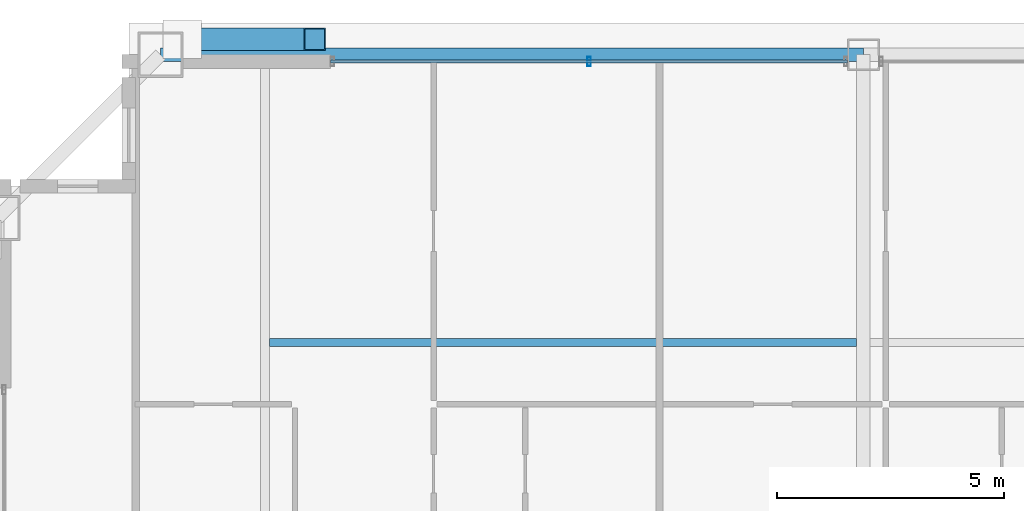
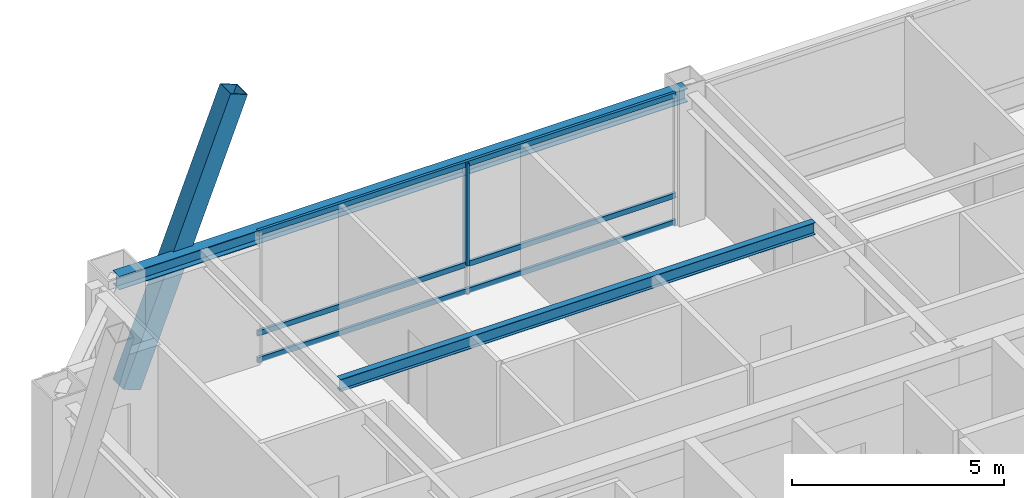
# One storey, part 16 of 35: 5 members, 2 beams, 1 element without a shape of its own.
"""IFC4 building model written with IfcOpenShell, lengths in metres."""

from ifc_helpers import new_model, si_unit, direction, frame, origin, origin_2d, place, context, subcontext, project, spatial, hollow_rectangle, i_section, extrude, source, transform, mapped, material, layer, layer_set, material_profile, profile_set, type_object, element, aggregate, save


model = new_model("IFC4")

# Units and contexts
model_context = context("Model", 3, precision=1e-05, world=origin(), true_north=direction((0.0, 1.0)))
body_context = subcontext(model_context, "Body", "Model", "MODEL_VIEW")
ifc_project = project(units=[si_unit("LENGTHUNIT", "METRE"), si_unit("AREAUNIT", "SQUARE_METRE"), si_unit("VOLUMEUNIT", "CUBIC_METRE"), si_unit("PLANEANGLEUNIT", "RADIAN"), si_unit("MASSUNIT", "GRAM", prefix="KILO"), si_unit("THERMODYNAMICTEMPERATUREUNIT", "KELVIN"), si_unit("POWERUNIT", "WATT")], contexts=[model_context])

# Site, building, storey
site_placement = place(None, origin())
site = spatial("IfcSite", under=ifc_project, at=site_placement, CompositionType="ELEMENT")
building_placement = place(site_placement, origin())
building = spatial("IfcBuilding", under=site, at=building_placement, Name="Yuzanri Waterfront Tower", CompositionType="ELEMENT")
storey_placement = place(building_placement, frame((0.0, 0.0, 343.199951171875)))
storey = spatial("IfcBuildingStorey", under=building, at=storey_placement, Name="L92", CompositionType="ELEMENT", Elevation=343.199951171875)

# Beams
ifc_material_1 = material(Name="Steel Q355B", Category="steel")
ifc_material_profile_1 = material_profile(ifc_material_1, i_section(OverallWidth=0.175048828125, OverallDepth=0.35009765625, WebThickness=0.007080078125, FlangeThickness=0.010986328125, at=origin_2d()), Name="HN 350x175x7x11")
ifc_profile_set_1 = profile_set([ifc_material_profile_1], Name="Steel Q355B")
beam_type_1 = type_object("IfcBeamType", Name="Floor Joist Q355B HN 350x175", PredefinedType="JOIST", material=ifc_profile_set_1)
shared_shape_1 = source(origin(), body_context, "Body", "SweptSolid", [
    extrude(i_section(OverallWidth=0.175048828125, OverallDepth=0.35009765625, WebThickness=0.007080078125, FlangeThickness=0.010986328125, at=origin_2d()), origin(), (0.0, 0.0, 1.0), 12.9501953125),
])
beam_1_placement = place(storey_placement, frame((23.89990234375, 38.550048828125, 3.5849609375), z_axis=(1.0, 0.0, 0.0), x_axis=(0.0, 1.0, 0.0)))
element("IfcBeam", 1, at=beam_1_placement, inside=storey, type_object=beam_type_1, Name="L92 North Bay Joist W", PredefinedType="JOIST", context=body_context, shape_type="MappedRepresentation", body=[
    mapped(shared_shape_1, transform((0.0, 0.0, 0.0), scale=1.0)),
])
ifc_material_2 = material(Name="Steel Q355B", Category="steel")
ifc_material_profile_2 = material_profile(ifc_material_2, i_section(OverallWidth=0.300048828125, OverallDepth=0.389892578125, WebThickness=0.010009765625, FlangeThickness=0.01611328125, at=origin_2d()), Name="HM 390x300x10x16")
ifc_profile_set_2 = profile_set([ifc_material_profile_2], Name="Steel Q355B")
beam_type_2 = type_object("IfcBeamType", Name="Perimeter Spandrel Q355B HM 390x300", PredefinedType="SPANDREL", material=ifc_profile_set_2)
shared_shape_2 = source(origin(), body_context, "Body", "SweptSolid", [
    extrude(i_section(OverallWidth=0.300048828125, OverallDepth=0.389892578125, WebThickness=0.010009765625, FlangeThickness=0.01611328125, at=origin_2d()), origin(), (0.0, 0.0, 1.0), 15.5),
])
beam_2_placement = place(storey_placement, frame((37.0, 44.89990234375, 3.56494140625), z_axis=(-1.0, 0.0, 0.0), x_axis=(0.0, -1.0, 0.0)))
element("IfcBeam", 2, at=beam_2_placement, inside=storey, type_object=beam_type_2, Name="L92 Perimeter Spandrel N2-N1", PredefinedType="SPANDREL", context=body_context, shape_type="MappedRepresentation", body=[
    mapped(shared_shape_2, transform((0.0, 0.0, 0.0), scale=1.0)),
])

# Member
ifc_material_3 = material(Name="Steel Q390GJC", Category="steel")
ifc_material_profile_3 = material_profile(ifc_material_3, hollow_rectangle(XDim=0.5, YDim=0.5, WallThickness=0.02197265625, at=origin_2d()), Name="RHS 500x500x22")
ifc_profile_set_3 = profile_set([ifc_material_profile_3], Name="Steel Q390GJC")
member_type_1 = type_object("IfcMemberType", Name="Mega Brace Upper Q390GJC RHS 500x500x22", PredefinedType="BRACE", material=ifc_profile_set_3)
shared_shape_3 = source(origin(), body_context, "Body", "SweptSolid", [
    extrude(hollow_rectangle(XDim=0.5, YDim=0.5, WallThickness=0.02197265625, at=origin_2d()), origin(), (0.0, 0.0, 1.0), 8.04833984375),
])
member_1_placement = place(storey_placement, frame((21.97998046875, 45.239990234375, 0.179931640625), z_axis=(0.362797559625, 0.0, 0.931867979238), x_axis=(0.0, 1.0, 0.0)))
element("IfcMember", 3, at=member_1_placement, inside=storey, type_object=member_type_1, Name="L92-L93 Perimeter Mega-Brace N-L", PredefinedType="BRACE", context=body_context, shape_type="MappedRepresentation", body=[
    mapped(shared_shape_3, transform((0.0, 0.0, 0.0), scale=1.0)),
])

# Curtain wall, members
ifc_material_4 = material(Name="Anodized Architectural Bronze", Category="metal")
ifc_layer = layer(ifc_material_4, 0.159912109375)
ifc_layer_set = layer_set([ifc_layer], Name="Anodized Architectural Bronze")
curtain_wall_type = type_object("IfcCurtainWallType", Name="Anodized Bronze High-Rise Penthouse High-Wind Unitized Curtain Wall 6900", PredefinedType="NOTDEFINED", material=ifc_layer_set)
curtain_wall_placement = place(storey_placement, origin())
curtain_wall = element("IfcCurtainWall", 4, at=curtain_wall_placement, inside=storey, type_object=curtain_wall_type, Name="L92 Curtain Wall CW-L92-NL", PredefinedType="NOTDEFINED")
ifc_material_5 = material(Name="Anodized Architectural Bronze", Category="metal")
ifc_material_profile_4 = material_profile(ifc_material_5, hollow_rectangle(XDim=0.074951171875, YDim=0.14990234375, WallThickness=0.00390625, at=origin_2d()), Name="CWT 75x150")
ifc_profile_set_4 = profile_set([ifc_material_profile_4], Name="Anodized Architectural Bronze")
member_type_2 = type_object("IfcMemberType", Name="Anodized Bronze Primary Curtain-Wall Transom 75x150", PredefinedType="USERDEFINED", material=ifc_profile_set_4)
shared_shape_4 = source(origin(), body_context, "Body", "SweptSolid", [
    extrude(hollow_rectangle(XDim=0.074951171875, YDim=0.14990234375, WallThickness=0.00390625, at=origin_2d()), origin(), (0.0, 0.0, 1.0), 11.39990234375),
])
member_2_placement = place(storey_placement, frame((25.25, 44.75, 0.050048828125), z_axis=(1.0, 0.0, 0.0), x_axis=(0.0, 1.0, 0.0)))
member_2 = element("IfcMember", 5, at=member_2_placement, type_object=member_type_2, Name="CW-L92-NL Transom 1", ObjectType="TRANSOM", PredefinedType="USERDEFINED", context=body_context, shape_type="MappedRepresentation", body=[
    mapped(shared_shape_4, transform((0.0, 0.0, 0.0), scale=1.0)),
])
member_3_placement = place(storey_placement, frame((25.25, 44.75, 0.820068359375), z_axis=(1.0, 0.0, 0.0), x_axis=(0.0, 1.0, 0.0)))
member_3 = element("IfcMember", 6, at=member_3_placement, type_object=member_type_2, Name="CW-L92-NL Transom 2", ObjectType="TRANSOM", PredefinedType="USERDEFINED", context=body_context, shape_type="MappedRepresentation", body=[
    mapped(shared_shape_4, transform((0.0, 0.0, 0.0), scale=1.0)),
])
member_4_placement = place(storey_placement, frame((25.25, 44.75, 3.7099609375), z_axis=(1.0, 0.0, 0.0), x_axis=(0.0, 1.0, 0.0)))
member_4 = element("IfcMember", 7, at=member_4_placement, type_object=member_type_2, Name="CW-L92-NL Transom 3", ObjectType="TRANSOM", PredefinedType="USERDEFINED", context=body_context, shape_type="MappedRepresentation", body=[
    mapped(shared_shape_4, transform((0.0, 0.0, 0.0), scale=1.0)),
])
ifc_material_6 = material(Name="Anodized Architectural Bronze", Category="metal")
ifc_material_profile_5 = material_profile(ifc_material_6, hollow_rectangle(XDim=0.074951171875, YDim=0.199951171875, WallThickness=0.00390625, at=origin_2d()), Name="CWM 75x200")
ifc_profile_set_5 = profile_set([ifc_material_profile_5], Name="Anodized Architectural Bronze")
member_type_3 = type_object("IfcMemberType", Name="Anodized Bronze Primary Curtain-Wall Mullion 75x200", PredefinedType="MULLION", material=ifc_profile_set_5)
shared_shape_5 = source(origin(), body_context, "Body", "SweptSolid", [
    extrude(hollow_rectangle(XDim=0.074951171875, YDim=0.199951171875, WallThickness=0.00390625, at=origin_2d()), origin(), (0.0, 0.0, 1.0), 2.93798828125),
])
member_5_placement = place(storey_placement, frame((30.949951171875, 44.75, 0.822021484375), z_axis=(0.0, 0.0, 1.0), x_axis=(1.0, 0.0, 0.0)))
member_5 = element("IfcMember", 8, at=member_5_placement, type_object=member_type_3, Name="CW-L92-NL Upper Mullion 01", PredefinedType="MULLION", context=body_context, shape_type="MappedRepresentation", body=[
    mapped(shared_shape_5, transform((0.0, 0.0, 0.0), scale=1.0)),
])
aggregate(curtain_wall, [member_5, member_2, member_3, member_4])

save(model, "model.ifc")
